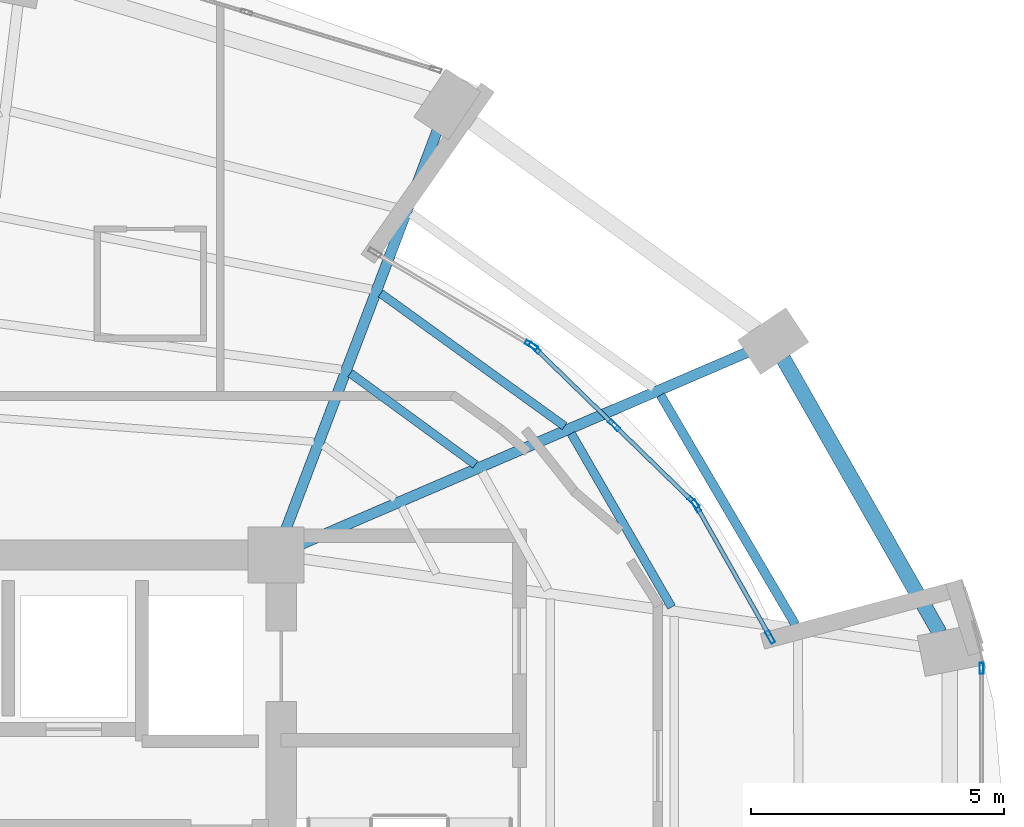
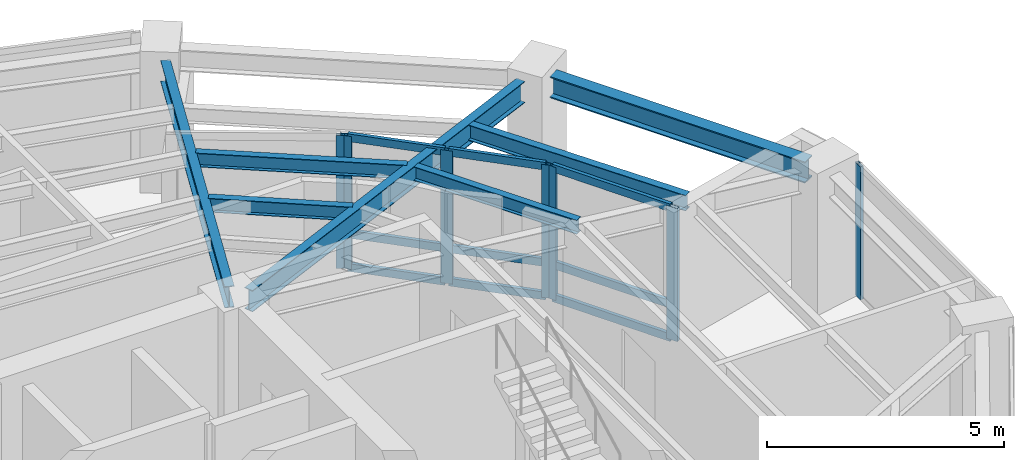
# One storey, part 11 of 19: 16 members, 7 beams, 4 elements without a shape of their own.
"""IFC4 building model written with IfcOpenShell, lengths in metres."""

from ifc_helpers import new_model, si_unit, direction, frame, origin, origin_2d, place, context, subcontext, project, spatial, hollow_rectangle, i_section, extrude, material, layer, layer_set, material_profile, profile_set, type_object, element, aggregate, save


model = new_model("IFC4")

# Units and contexts
model_context = context("Model", 3, precision=1e-05, world=origin(), true_north=direction((0.0, 1.0)))
body_context = subcontext(model_context, "Body", "Model", "MODEL_VIEW")
ifc_project = project(units=[si_unit("LENGTHUNIT", "METRE"), si_unit("AREAUNIT", "SQUARE_METRE"), si_unit("VOLUMEUNIT", "CUBIC_METRE"), si_unit("PLANEANGLEUNIT", "RADIAN"), si_unit("MASSUNIT", "GRAM", prefix="KILO")], contexts=[model_context])

# Site, building, storey
site_placement = place(None, origin())
site = spatial("IfcSite", under=ifc_project, at=site_placement, CompositionType="ELEMENT")
building_placement = place(site_placement, origin())
building = spatial("IfcBuilding", under=site, at=building_placement, Name="Lazwardi Medical Tower", CompositionType="ELEMENT")
storey_placement = place(building_placement, frame((0.0, 0.0, 171.1201171875)))
storey = spatial("IfcBuildingStorey", under=building, at=storey_placement, Name="L44", CompositionType="ELEMENT", Elevation=171.1201171875)

# Beams
ifc_material_1 = material(Name="Steel S355", Category="steel")
ifc_material_profile_1 = material_profile(ifc_material_1, i_section(OverallWidth=0.300048828125, OverallDepth=0.550048828125, WebThickness=0.014892578125, FlangeThickness=0.029052734375, at=origin_2d()), Name="HEB 550")
ifc_profile_set_1 = profile_set([ifc_material_profile_1], Name="Steel S355")
beam_type_1 = type_object("IfcBeamType", Name="BM-RB-Z3", PredefinedType="BEAM", material=ifc_profile_set_1)
beam_1_placement = place(storey_placement, frame((58.727783203125, 34.05908203125, 3.15283203125), z_axis=(-0.495460926326, 0.868630226554, 0.0), x_axis=(-0.868630226554, -0.495460926326, 0.0)))
element("IfcBeam", 1, at=beam_1_placement, inside=storey, type_object=beam_type_1, Name="Ring beam RB-04 B05 L44", PredefinedType="BEAM", context=body_context, shape_type="SweptSolid", body=[
    extrude(i_section(OverallWidth=0.300048828125, OverallDepth=0.550048828125, WebThickness=0.014892578125, FlangeThickness=0.029052734375, at=origin_2d()), origin(), (0.0, 0.0, 1.0), 6.24462890625),
])
ifc_material_profile_2 = material_profile(ifc_material_1, i_section(OverallWidth=0.2099609375, OverallDepth=0.550048828125, WebThickness=0.010986328125, FlangeThickness=0.01708984375, at=origin_2d()), Name="IPE 550")
ifc_profile_set_2 = profile_set([ifc_material_profile_2], Name="Steel S355")
beam_type_2 = type_object("IfcBeamType", Name="BM-RG-W2", PredefinedType="BEAM", material=ifc_profile_set_2)
beam_2_placement = place(storey_placement, frame((54.921142578125, 39.609619140625, 3.15283203125), z_axis=(-0.918608156288, -0.395169653695, 0.0), x_axis=(0.395169653695, -0.918608156288, 0.0)))
element("IfcBeam", 2, at=beam_2_placement, inside=storey, type_object=beam_type_2, Name="Radial girder RG-03 R06 L44", PredefinedType="BEAM", context=body_context, shape_type="SweptSolid", body=[
    extrude(i_section(OverallWidth=0.2099609375, OverallDepth=0.550048828125, WebThickness=0.010986328125, FlangeThickness=0.01708984375, at=origin_2d()), origin(), (0.0, 0.0, 1.0), 9.61181640625),
])
beam_3_placement = place(storey_placement, frame((48.78759765625, 43.99072265625, 3.15283203125), z_axis=(-0.355126771712, -0.934818151307, 0.0), x_axis=(0.934818151307, -0.355126771712, 0.0)))
element("IfcBeam", 3, at=beam_3_placement, inside=storey, type_object=beam_type_2, Name="Radial girder RG-03 R07 L44", PredefinedType="BEAM", context=body_context, shape_type="SweptSolid", body=[
    extrude(i_section(OverallWidth=0.2099609375, OverallDepth=0.550048828125, WebThickness=0.010986328125, FlangeThickness=0.01708984375, at=origin_2d()), origin(), (0.0, 0.0, 1.0), 8.44091796875),
])
ifc_material_profile_3 = material_profile(ifc_material_1, i_section(OverallWidth=0.179931640625, OverallDepth=0.39990234375, WebThickness=0.008544921875, FlangeThickness=0.013427734375, at=origin_2d()), Name="IPE 400")
ifc_profile_set_3 = profile_set([ifc_material_profile_3], Name="Steel S355")
beam_type_3 = type_object("IfcBeamType", Name="BM-SJ-01", PredefinedType="JOIST", material=ifc_profile_set_3)
beam_4_placement = place(storey_placement, frame((55.872314453125, 34.223388671875, 3.227783203125), z_axis=(-0.506420212881, 0.862286824662, 0.0), x_axis=(-0.862286824662, -0.506420212881, 0.0)))
element("IfcBeam", 4, at=beam_4_placement, inside=storey, type_object=beam_type_3, Name="Secondary joist SJ-01 R1 B05 L44", PredefinedType="JOIST", context=body_context, shape_type="SweptSolid", body=[
    extrude(i_section(OverallWidth=0.179931640625, OverallDepth=0.39990234375, WebThickness=0.008544921875, FlangeThickness=0.013427734375, at=origin_2d()), origin(), (0.0, 0.0, 1.0), 5.265380859375),
])
ifc_material_profile_4 = material_profile(ifc_material_1, i_section(OverallWidth=0.169921875, OverallDepth=0.360107421875, WebThickness=0.008056640625, FlangeThickness=0.0126953125, at=origin_2d()), Name="IPE 360")
ifc_profile_set_4 = profile_set([ifc_material_profile_4], Name="Steel S355")
beam_type_4 = type_object("IfcBeamType", Name="BM-SJ-02", PredefinedType="JOIST", material=ifc_profile_set_4)
beam_5_placement = place(storey_placement, frame((53.4248046875, 34.57080078125, 3.247802734375), z_axis=(-0.500640648605, 0.865655209055, 0.0), x_axis=(-0.865655209055, -0.500640648605, 0.0)))
element("IfcBeam", 5, at=beam_5_placement, inside=storey, type_object=beam_type_4, Name="Secondary joist SJ-02 R2 B05 L44", PredefinedType="JOIST", context=body_context, shape_type="SweptSolid", body=[
    extrude(i_section(OverallWidth=0.169921875, OverallDepth=0.360107421875, WebThickness=0.008056640625, FlangeThickness=0.0126953125, at=origin_2d()), origin(), (0.0, 0.0, 1.0), 3.965576171875),
])
beam_6_placement = place(storey_placement, frame((51.30810546875, 38.148681640625, 3.247802734375), z_axis=(-0.810738039179, 0.585409114917, 0.0), x_axis=(-0.585409114917, -0.810738039179, 0.0)))
element("IfcBeam", 6, at=beam_6_placement, inside=storey, type_object=beam_type_4, Name="Secondary joist SJ-02 R2 B06 L44", PredefinedType="JOIST", context=body_context, shape_type="SweptSolid", body=[
    extrude(i_section(OverallWidth=0.169921875, OverallDepth=0.360107421875, WebThickness=0.008056640625, FlangeThickness=0.0126953125, at=origin_2d()), origin(), (0.0, 0.0, 1.0), 4.48779296875),
])
beam_7_placement = place(storey_placement, frame((49.54248046875, 37.3896484375, 3.247802734375), z_axis=(-0.807285959008, 0.590160470033, 0.0), x_axis=(-0.590160470033, -0.807285959008, 0.0)))
element("IfcBeam", 7, at=beam_7_placement, inside=storey, type_object=beam_type_4, Name="Secondary joist SJ-02 R3 B06 L44", PredefinedType="JOIST", context=body_context, shape_type="SweptSolid", body=[
    extrude(i_section(OverallWidth=0.169921875, OverallDepth=0.360107421875, WebThickness=0.008056640625, FlangeThickness=0.0126953125, at=origin_2d()), origin(), (0.0, 0.0, 1.0), 3.06298828125),
])

# Curtain wall, member
ifc_material_2 = material(Name="Anodised bronze aluminium and solar control glazing", Category="aluminium")
ifc_layer_1 = layer(ifc_material_2, 0.195068359375)
ifc_layer_set_1 = layer_set([ifc_layer_1], Name="Anodised bronze aluminium and solar control glazing")
curtain_wall_type_1 = type_object("IfcCurtainWallType", Name="CW-SYS-03", PredefinedType="NOTDEFINED", material=ifc_layer_set_1)
curtain_wall_1_placement = place(storey_placement, origin())
curtain_wall_1 = element("IfcCurtainWall", 8, at=curtain_wall_1_placement, inside=storey, type_object=curtain_wall_type_1, Name="L44 Unitised bronze curtain wall CW-03", PredefinedType="NOTDEFINED")
ifc_material_3 = material(Name="Anodised bronze aluminium", Category="aluminium")
ifc_material_profile_5 = material_profile(ifc_material_3, hollow_rectangle(XDim=0.074951171875, YDim=0.219970703125, WallThickness=0.00390625, at=origin_2d()), Name="ALU-MULLION 220x75x4")
ifc_profile_set_5 = profile_set([ifc_material_profile_5], Name="Anodised bronze aluminium")
member_type_1 = type_object("IfcMemberType", Name="CW-MUL-01", PredefinedType="MULLION", material=ifc_profile_set_5)
member_1_placement = place(storey_placement, frame((59.5576171875, 33.35791015625, 0.0), z_axis=(0.0, 0.0, 1.0), x_axis=(-1.0, 0.0, 0.0)))
member_1 = element("IfcMember", 9, at=member_1_placement, type_object=member_type_1, Name="CW-03 mullion 2", PredefinedType="MULLION", context=body_context, shape_type="SweptSolid", body=[
    extrude(hollow_rectangle(XDim=0.074951171875, YDim=0.219970703125, WallThickness=0.00390625, at=origin_2d()), origin(), (0.0, 0.0, 1.0), 3.427978515625),
])
aggregate(curtain_wall_1, [member_1])

# Curtain wall, members
ifc_layer_2 = layer(ifc_material_2, 0.239990234375)
ifc_layer_set_2 = layer_set([ifc_layer_2], Name="Anodised bronze aluminium and solar control glazing")
curtain_wall_type_2 = type_object("IfcCurtainWallType", Name="CW-SYS-05", PredefinedType="NOTDEFINED", material=ifc_layer_set_2)
curtain_wall_2_placement = place(storey_placement, origin())
curtain_wall_2 = element("IfcCurtainWall", 10, at=curtain_wall_2_placement, inside=storey, type_object=curtain_wall_type_2, Name="L44 Unitised bronze curtain wall CW-05", PredefinedType="NOTDEFINED")
ifc_material_profile_6 = material_profile(ifc_material_3, hollow_rectangle(XDim=0.0849609375, YDim=0.260009765625, WallThickness=0.0048828125, at=origin_2d()), Name="ALU-MULLION 260x85x5")
ifc_profile_set_6 = profile_set([ifc_material_profile_6], Name="Anodised bronze aluminium")
member_type_2 = type_object("IfcMemberType", Name="CW-MUL-02", PredefinedType="MULLION", material=ifc_profile_set_6)
member_2_placement = place(storey_placement, frame((55.375, 33.9775390625, 0.0), z_axis=(0.0, 0.0, 1.0), x_axis=(-0.87122325606, -0.49088699117, 0.0)))
member_2 = element("IfcMember", 11, at=member_2_placement, type_object=member_type_2, Name="CW-05 mullion 1", PredefinedType="MULLION", context=body_context, shape_type="SweptSolid", body=[
    extrude(hollow_rectangle(XDim=0.0849609375, YDim=0.260009765625, WallThickness=0.0048828125, at=origin_2d()), origin(), (0.0, 0.0, 1.0), 3.427978515625),
])
member_3_placement = place(storey_placement, frame((53.912353515625, 36.573486328125, 0.0), z_axis=(0.0, 0.0, 1.0), x_axis=(-0.87122325606, -0.49088699117, 0.0)))
member_3 = element("IfcMember", 12, at=member_3_placement, type_object=member_type_2, Name="CW-05 mullion 2", PredefinedType="MULLION", context=body_context, shape_type="SweptSolid", body=[
    extrude(hollow_rectangle(XDim=0.0849609375, YDim=0.260009765625, WallThickness=0.0048828125, at=origin_2d()), origin(), (0.0, 0.0, 1.0), 3.427978515625),
])

# Curtain wall, member
curtain_wall_3_placement = place(storey_placement, origin())
curtain_wall_3 = element("IfcCurtainWall", 13, at=curtain_wall_3_placement, inside=storey, type_object=curtain_wall_type_2, Name="L44 Unitised bronze curtain wall CW-05", PredefinedType="NOTDEFINED")
member_4_placement = place(storey_placement, frame((50.64892578125, 39.75146484375, 0.0), z_axis=(0.0, 0.0, 1.0), x_axis=(-0.509570850923, -0.860428700061, 0.0)))
member_4 = element("IfcMember", 14, at=member_4_placement, type_object=member_type_2, Name="CW-05 mullion 1", PredefinedType="MULLION", context=body_context, shape_type="SweptSolid", body=[
    extrude(hollow_rectangle(XDim=0.0849609375, YDim=0.260009765625, WallThickness=0.0048828125, at=origin_2d()), origin(), (0.0, 0.0, 1.0), 3.427978515625),
])
aggregate(curtain_wall_3, [member_4])

# Curtain wall, members
curtain_wall_4_placement = place(storey_placement, origin())
curtain_wall_4 = element("IfcCurtainWall", 15, at=curtain_wall_4_placement, inside=storey, type_object=curtain_wall_type_2, Name="L44 Unitised bronze curtain wall CW-05", PredefinedType="NOTDEFINED")
member_5_placement = place(storey_placement, frame((53.86083984375, 36.64013671875, 0.0), z_axis=(0.0, 0.0, 1.0), x_axis=(-0.697348441329, -0.716732273151, 0.0)))
member_5 = element("IfcMember", 16, at=member_5_placement, type_object=member_type_2, Name="CW-05 mullion 1", PredefinedType="MULLION", context=body_context, shape_type="SweptSolid", body=[
    extrude(hollow_rectangle(XDim=0.0849609375, YDim=0.260009765625, WallThickness=0.0048828125, at=origin_2d()), origin(), (0.0, 0.0, 1.0), 3.427978515625),
])
member_6_placement = place(storey_placement, frame((52.28857421875, 38.170166015625, 0.0), z_axis=(0.0, 0.0, 1.0), x_axis=(-0.697348441329, -0.716732273151, 0.0)))
member_6 = element("IfcMember", 17, at=member_6_placement, type_object=member_type_2, Name="CW-05 mullion 2", PredefinedType="MULLION", context=body_context, shape_type="SweptSolid", body=[
    extrude(hollow_rectangle(XDim=0.0849609375, YDim=0.260009765625, WallThickness=0.0048828125, at=origin_2d()), origin(), (0.0, 0.0, 1.0), 3.427978515625),
])
member_7_placement = place(storey_placement, frame((50.716064453125, 39.699951171875, 0.0), z_axis=(0.0, 0.0, 1.0), x_axis=(-0.697348441329, -0.716732273151, 0.0)))
member_7 = element("IfcMember", 18, at=member_7_placement, type_object=member_type_2, Name="CW-05 mullion 3", PredefinedType="MULLION", context=body_context, shape_type="SweptSolid", body=[
    extrude(hollow_rectangle(XDim=0.0849609375, YDim=0.260009765625, WallThickness=0.0048828125, at=origin_2d()), origin(), (0.0, 0.0, 1.0), 3.427978515625),
])

# Member
ifc_material_profile_7 = material_profile(ifc_material_3, hollow_rectangle(XDim=0.0849609375, YDim=0.199951171875, WallThickness=0.00439453125, at=origin_2d()), Name="ALU-TRANSOM 200x85x4.5")
ifc_profile_set_7 = profile_set([ifc_material_profile_7], Name="Anodised bronze aluminium")
member_type_3 = type_object("IfcMemberType", Name="CW-TRN-02", PredefinedType="USERDEFINED", material=ifc_profile_set_7)
member_8_placement = place(storey_placement, frame((55.35400390625, 34.0146484375, 0.04248046875), z_axis=(-0.490861767795, 0.871237467581, 0.0), x_axis=(-0.871237467581, -0.490861767795, 0.0)))
member_8 = element("IfcMember", 19, at=member_8_placement, type_object=member_type_3, Name="CW-05 transom 1.1", ObjectType="TRANSOM", PredefinedType="USERDEFINED", context=body_context, shape_type="SweptSolid", body=[
    extrude(hollow_rectangle(XDim=0.0849609375, YDim=0.199951171875, WallThickness=0.00439453125, at=origin_2d()), origin(), (0.0, 0.0, 1.0), 2.894775390625),
])

member_9_placement = place(storey_placement, frame((55.35400390625, 34.0146484375, 0.89990234375), z_axis=(-0.490861767795, 0.871237467581, 0.0), x_axis=(-0.871237467581, -0.490861767795, 0.0)))
member_9 = element("IfcMember", 20, at=member_9_placement, type_object=member_type_3, Name="CW-05 transom 1.2", ObjectType="TRANSOM", PredefinedType="USERDEFINED", context=body_context, shape_type="SweptSolid", body=[
    extrude(hollow_rectangle(XDim=0.0849609375, YDim=0.199951171875, WallThickness=0.00439453125, at=origin_2d()), origin(), (0.0, 0.0, 1.0), 2.894775390625),
])

member_10_placement = place(storey_placement, frame((55.35400390625, 34.0146484375, 3.385498046875), z_axis=(-0.490861767795, 0.871237467581, 0.0), x_axis=(-0.871237467581, -0.490861767795, 0.0)))
member_10 = element("IfcMember", 21, at=member_10_placement, type_object=member_type_3, Name="CW-05 transom 1.3", ObjectType="TRANSOM", PredefinedType="USERDEFINED", context=body_context, shape_type="SweptSolid", body=[
    extrude(hollow_rectangle(XDim=0.0849609375, YDim=0.199951171875, WallThickness=0.00439453125, at=origin_2d()), origin(), (0.0, 0.0, 1.0), 2.894775390625),
])

aggregate(curtain_wall_2, [member_2, member_3, member_8, member_9, member_10])

member_11_placement = place(storey_placement, frame((53.83056640625, 36.669921875, 0.04248046875), z_axis=(-0.716763458391, 0.697316387815, 0.0), x_axis=(-0.697316387815, -0.716763458391, 0.0)))
member_11 = element("IfcMember", 22, at=member_11_placement, type_object=member_type_3, Name="CW-05 transom 1.1", ObjectType="TRANSOM", PredefinedType="USERDEFINED", context=body_context, shape_type="SweptSolid", body=[
    extrude(hollow_rectangle(XDim=0.0849609375, YDim=0.199951171875, WallThickness=0.00439453125, at=origin_2d()), origin(), (0.0, 0.0, 1.0), 2.109130859375),
])

member_12_placement = place(storey_placement, frame((53.83056640625, 36.669921875, 0.89990234375), z_axis=(-0.716763458391, 0.697316387815, 0.0), x_axis=(-0.697316387815, -0.716763458391, 0.0)))
member_12 = element("IfcMember", 23, at=member_12_placement, type_object=member_type_3, Name="CW-05 transom 1.2", ObjectType="TRANSOM", PredefinedType="USERDEFINED", context=body_context, shape_type="SweptSolid", body=[
    extrude(hollow_rectangle(XDim=0.0849609375, YDim=0.199951171875, WallThickness=0.00439453125, at=origin_2d()), origin(), (0.0, 0.0, 1.0), 2.109130859375),
])

member_13_placement = place(storey_placement, frame((53.83056640625, 36.669921875, 3.385498046875), z_axis=(-0.716763458391, 0.697316387815, 0.0), x_axis=(-0.697316387815, -0.716763458391, 0.0)))
member_13 = element("IfcMember", 24, at=member_13_placement, type_object=member_type_3, Name="CW-05 transom 1.3", ObjectType="TRANSOM", PredefinedType="USERDEFINED", context=body_context, shape_type="SweptSolid", body=[
    extrude(hollow_rectangle(XDim=0.0849609375, YDim=0.199951171875, WallThickness=0.00439453125, at=origin_2d()), origin(), (0.0, 0.0, 1.0), 2.109130859375),
])

member_14_placement = place(storey_placement, frame((52.258056640625, 38.19970703125, 0.04248046875), z_axis=(-0.716707164833, 0.697374246641, 0.0), x_axis=(-0.697374246641, -0.716707164833, 0.0)))
member_14 = element("IfcMember", 25, at=member_14_placement, type_object=member_type_3, Name="CW-05 transom 2.1", ObjectType="TRANSOM", PredefinedType="USERDEFINED", context=body_context, shape_type="SweptSolid", body=[
    extrude(hollow_rectangle(XDim=0.0849609375, YDim=0.199951171875, WallThickness=0.00439453125, at=origin_2d()), origin(), (0.0, 0.0, 1.0), 2.10888671875),
])

member_15_placement = place(storey_placement, frame((52.258056640625, 38.19970703125, 0.89990234375), z_axis=(-0.716707164833, 0.697374246641, 0.0), x_axis=(-0.697374246641, -0.716707164833, 0.0)))
member_15 = element("IfcMember", 26, at=member_15_placement, type_object=member_type_3, Name="CW-05 transom 2.2", ObjectType="TRANSOM", PredefinedType="USERDEFINED", context=body_context, shape_type="SweptSolid", body=[
    extrude(hollow_rectangle(XDim=0.0849609375, YDim=0.199951171875, WallThickness=0.00439453125, at=origin_2d()), origin(), (0.0, 0.0, 1.0), 2.10888671875),
])

member_16_placement = place(storey_placement, frame((52.258056640625, 38.19970703125, 3.385498046875), z_axis=(-0.716707164833, 0.697374246641, 0.0), x_axis=(-0.697374246641, -0.716707164833, 0.0)))
member_16 = element("IfcMember", 27, at=member_16_placement, type_object=member_type_3, Name="CW-05 transom 2.3", ObjectType="TRANSOM", PredefinedType="USERDEFINED", context=body_context, shape_type="SweptSolid", body=[
    extrude(hollow_rectangle(XDim=0.0849609375, YDim=0.199951171875, WallThickness=0.00439453125, at=origin_2d()), origin(), (0.0, 0.0, 1.0), 2.10888671875),
])

aggregate(curtain_wall_4, [member_5, member_6, member_7, member_11, member_12, member_13, member_14, member_15, member_16])

save(model, "model.ifc")
